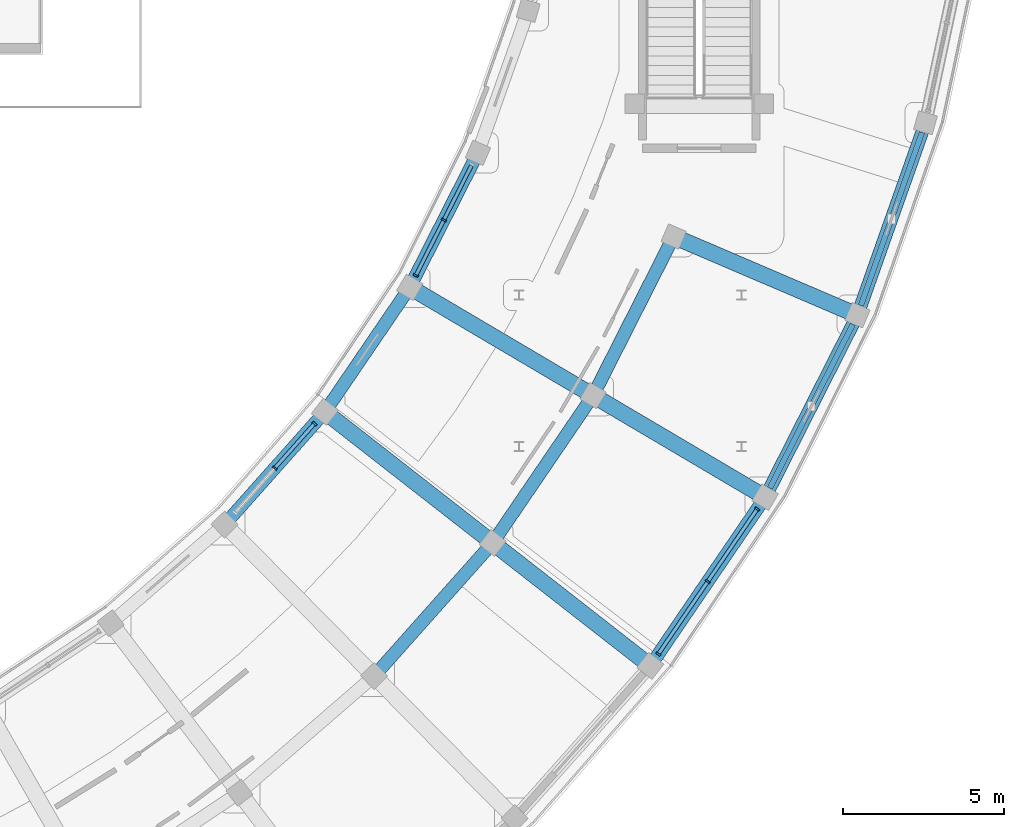
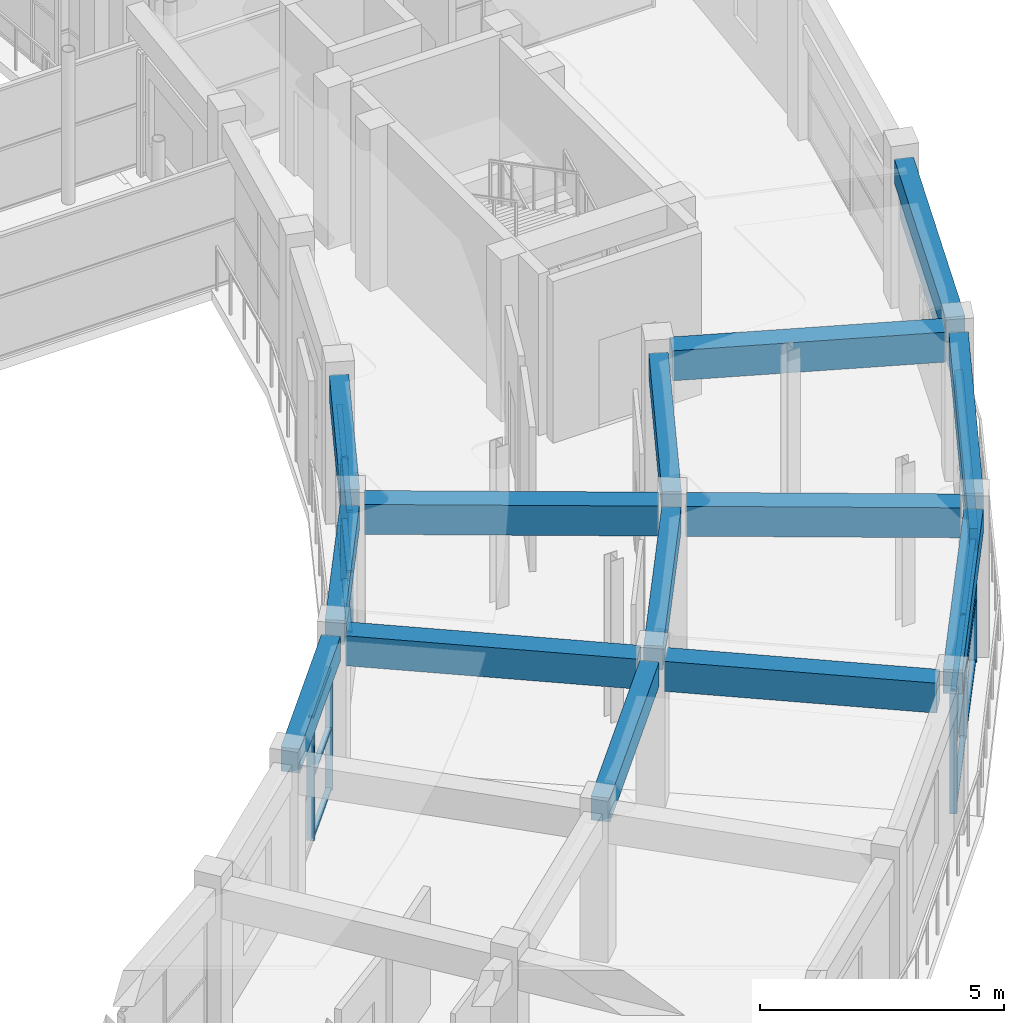
# One storey, part 24 of 72: 24 members, 14 beams, 3 elements without a shape of their own.
"""IFC4 building model written with IfcOpenShell, lengths in metres."""

from ifc_helpers import new_model, si_unit, direction, frame, origin, origin_2d, place, context, subcontext, project, spatial, rectangle, extrude, material, material_profile, profile_set, type_object, element, aggregate, save


model = new_model("IFC4")

# Units and contexts
model_context = context("Model", 3, precision=1e-05, world=origin(), true_north=direction((0.0, 1.0)))
body_context = subcontext(model_context, "Body", "Model", "MODEL_VIEW")
ifc_project = project(units=[si_unit("LENGTHUNIT", "METRE"), si_unit("AREAUNIT", "SQUARE_METRE"), si_unit("VOLUMEUNIT", "CUBIC_METRE"), si_unit("PLANEANGLEUNIT", "RADIAN"), si_unit("MASSUNIT", "GRAM", prefix="KILO")], contexts=[model_context])

# Site, building, storey
site_placement = place(None, origin())
site = spatial("IfcSite", under=ifc_project, at=site_placement, CompositionType="ELEMENT")
building_placement = place(site_placement, origin())
building = spatial("IfcBuilding", under=site, at=building_placement, Name="Saryqyr Civic Hall", CompositionType="ELEMENT")
storey_placement = place(building_placement, frame((0.0, 0.0, 17.25)))
storey = spatial("IfcBuildingStorey", under=building, at=storey_placement, Name="L04", CompositionType="ELEMENT", Elevation=17.25)

# Curtain wall, members
ifc_material_1 = material(Name="Anodised aluminium and triple low-E glass", Category="aluminium")
curtain_wall_type_1 = type_object("IfcCurtainWallType", Name="ENV-CW-STD-20", PredefinedType="NOTDEFINED", material=ifc_material_1)
curtain_wall_1_placement = place(storey_placement, origin())
curtain_wall_1 = element("IfcCurtainWall", 1, at=curtain_wall_1_placement, inside=storey, type_object=curtain_wall_type_1, Name="Curtain wall V5-CWI-L04-04", PredefinedType="NOTDEFINED")
ifc_material_2 = material(Name="Anodised aluminium", Category="aluminium")
ifc_material_profile_1 = material_profile(ifc_material_2, rectangle(XDim=0.06005859375, YDim=0.159912109375, at=origin_2d()), Name="ALU MULLION 60x160")
ifc_profile_set_1 = profile_set([ifc_material_profile_1], Name="Anodised aluminium")
member_type_1 = type_object("IfcMemberType", Name="ENV-CW-MUL-180", PredefinedType="MULLION", material=ifc_profile_set_1)
member_1_placement = place(storey_placement, frame((83.981201171875, 59.9794921875, 0.0), z_axis=(0.0, 0.0, 1.0), x_axis=(0.664934070862, 0.7469020561, 0.0)))
member_1 = element("IfcMember", 2, at=member_1_placement, type_object=member_type_1, Name="CW-20 mullion 2", PredefinedType="MULLION", context=body_context, shape_type="SweptSolid", body=[
    extrude(rectangle(XDim=0.06005859375, YDim=0.159912109375, at=origin_2d()), origin(), (0.0, 0.0, 1.0), 3.0849609375),
])
member_2_placement = place(storey_placement, frame((85.213134765625, 61.363037109375, 0.0), z_axis=(0.0, 0.0, 1.0), x_axis=(0.664934070862, 0.7469020561, 0.0)))
member_2 = element("IfcMember", 3, at=member_2_placement, type_object=member_type_1, Name="CW-20 mullion 3", PredefinedType="MULLION", context=body_context, shape_type="SweptSolid", body=[
    extrude(rectangle(XDim=0.06005859375, YDim=0.159912109375, at=origin_2d()), origin(), (0.0, 0.0, 1.0), 3.0849609375),
])

curtain_wall_type_2 = type_object("IfcCurtainWallType", Name="ENV-CW-STD-16", PredefinedType="NOTDEFINED", material=ifc_material_1)
curtain_wall_2_placement = place(storey_placement, origin())
curtain_wall_2 = element("IfcCurtainWall", 4, at=curtain_wall_2_placement, inside=storey, type_object=curtain_wall_type_2, Name="Curtain wall V5-CWO-L04-05", PredefinedType="NOTDEFINED")
member_3_placement = place(storey_placement, frame((98.94091796875, 58.71435546875, 0.0), z_axis=(0.0, 0.0, 1.0), x_axis=(-0.563117564, -0.826376796089, 0.0)))
member_3 = element("IfcMember", 5, at=member_3_placement, type_object=member_type_1, Name="CW-16 mullion 1", PredefinedType="MULLION", context=body_context, shape_type="SweptSolid", body=[
    extrude(rectangle(XDim=0.06005859375, YDim=0.159912109375, at=origin_2d()), origin(), (0.0, 0.0, 1.0), 3.0849609375),
])
member_4_placement = place(storey_placement, frame((97.407470703125, 56.46435546875, 0.0), z_axis=(0.0, 0.0, 1.0), x_axis=(-0.563117564, -0.826376796089, 0.0)))
member_4 = element("IfcMember", 6, at=member_4_placement, type_object=member_type_1, Name="CW-16 mullion 2", PredefinedType="MULLION", context=body_context, shape_type="SweptSolid", body=[
    extrude(rectangle(XDim=0.06005859375, YDim=0.159912109375, at=origin_2d()), origin(), (0.0, 0.0, 1.0), 3.0849609375),
])
member_5_placement = place(storey_placement, frame((95.874267578125, 54.214111328125, 0.0), z_axis=(0.0, 0.0, 1.0), x_axis=(-0.563117564, -0.826376796089, 0.0)))
member_5 = element("IfcMember", 7, at=member_5_placement, type_object=member_type_1, Name="CW-16 mullion 3", PredefinedType="MULLION", context=body_context, shape_type="SweptSolid", body=[
    extrude(rectangle(XDim=0.06005859375, YDim=0.159912109375, at=origin_2d()), origin(), (0.0, 0.0, 1.0), 3.0849609375),
])

curtain_wall_type_3 = type_object("IfcCurtainWallType", Name="ENV-CW-STD-17", PredefinedType="NOTDEFINED", material=ifc_material_1)
curtain_wall_3_placement = place(storey_placement, origin())
curtain_wall_3 = element("IfcCurtainWall", 8, at=curtain_wall_3_placement, inside=storey, type_object=curtain_wall_type_3, Name="Curtain wall V5-CWI-L04-06", PredefinedType="NOTDEFINED")
member_6_placement = place(storey_placement, frame((88.354248046875, 65.955810546875, 0.0), z_axis=(0.0, 0.0, 1.0), x_axis=(0.451909750219, 0.892063662334, 0.0)))
member_6 = element("IfcMember", 9, at=member_6_placement, type_object=member_type_1, Name="CW-17 mullion 1", PredefinedType="MULLION", context=body_context, shape_type="SweptSolid", body=[
    extrude(rectangle(XDim=0.06005859375, YDim=0.159912109375, at=origin_2d()), origin(), (0.0, 0.0, 1.0), 3.0849609375),
])
member_7_placement = place(storey_placement, frame((89.224853515625, 67.67431640625, 0.0), z_axis=(0.0, 0.0, 1.0), x_axis=(0.451909750219, 0.892063662334, 0.0)))
member_7 = element("IfcMember", 10, at=member_7_placement, type_object=member_type_1, Name="CW-17 mullion 2", PredefinedType="MULLION", context=body_context, shape_type="SweptSolid", body=[
    extrude(rectangle(XDim=0.06005859375, YDim=0.159912109375, at=origin_2d()), origin(), (0.0, 0.0, 1.0), 3.0849609375),
])

# Member
ifc_material_profile_2 = material_profile(ifc_material_2, rectangle(XDim=0.1201171875, YDim=0.06005859375, at=origin_2d()), Name="ALU TRANSOM 120x60")
ifc_profile_set_2 = profile_set([ifc_material_profile_2], Name="Anodised aluminium")
member_type_2 = type_object("IfcMemberType", Name="ENV-CW-TRN-150", PredefinedType="USERDEFINED", material=ifc_profile_set_2)
member_8_placement = place(storey_placement, frame((84.001220703125, 60.001953125, 0.030029296875), z_axis=(0.664989244005, 0.746852934223, 0.0), x_axis=(-0.746852934223, 0.664989244005, 0.0)))
member_8 = element("IfcMember", 11, at=member_8_placement, type_object=member_type_2, Name="CW-20 transom 2.1", ObjectType="TRANSOM", PredefinedType="USERDEFINED", context=body_context, shape_type="SweptSolid", body=[
    extrude(rectangle(XDim=0.1201171875, YDim=0.06005859375, at=origin_2d()), origin(), (0.0, 0.0, 1.0), 1.792236328125),
])

member_9_placement = place(storey_placement, frame((84.001220703125, 60.001953125, 1.54296875), z_axis=(0.664989244005, 0.746852934223, 0.0), x_axis=(-0.746852934223, 0.664989244005, 0.0)))
member_9 = element("IfcMember", 12, at=member_9_placement, type_object=member_type_2, Name="CW-20 transom 2.2", ObjectType="TRANSOM", PredefinedType="USERDEFINED", context=body_context, shape_type="SweptSolid", body=[
    extrude(rectangle(XDim=0.1201171875, YDim=0.06005859375, at=origin_2d()), origin(), (0.0, 0.0, 1.0), 1.792236328125),
])

member_10_placement = place(storey_placement, frame((84.001220703125, 60.001953125, 3.054931640625), z_axis=(0.664989244005, 0.746852934223, 0.0), x_axis=(-0.746852934223, 0.664989244005, 0.0)))
member_10 = element("IfcMember", 13, at=member_10_placement, type_object=member_type_2, Name="CW-20 transom 2.3", ObjectType="TRANSOM", PredefinedType="USERDEFINED", context=body_context, shape_type="SweptSolid", body=[
    extrude(rectangle(XDim=0.1201171875, YDim=0.06005859375, at=origin_2d()), origin(), (0.0, 0.0, 1.0), 1.792236328125),
])

aggregate(curtain_wall_1, [member_1, member_2, member_8, member_9, member_10])

member_11_placement = place(storey_placement, frame((98.923828125, 58.689453125, 0.030029296875), z_axis=(-0.563072199079, -0.826407707263, 0.0), x_axis=(0.826407707263, -0.563072199079, 0.0)))
member_11 = element("IfcMember", 14, at=member_11_placement, type_object=member_type_2, Name="CW-16 transom 1.1", ObjectType="TRANSOM", PredefinedType="USERDEFINED", context=body_context, shape_type="SweptSolid", body=[
    extrude(rectangle(XDim=0.1201171875, YDim=0.06005859375, at=origin_2d()), origin(), (0.0, 0.0, 1.0), 2.66259765625),
])

member_12_placement = place(storey_placement, frame((98.923828125, 58.689453125, 1.54296875), z_axis=(-0.563072199079, -0.826407707263, 0.0), x_axis=(0.826407707263, -0.563072199079, 0.0)))
member_12 = element("IfcMember", 15, at=member_12_placement, type_object=member_type_2, Name="CW-16 transom 1.2", ObjectType="TRANSOM", PredefinedType="USERDEFINED", context=body_context, shape_type="SweptSolid", body=[
    extrude(rectangle(XDim=0.1201171875, YDim=0.06005859375, at=origin_2d()), origin(), (0.0, 0.0, 1.0), 2.66259765625),
])

member_13_placement = place(storey_placement, frame((98.923828125, 58.689453125, 3.054931640625), z_axis=(-0.563072199079, -0.826407707263, 0.0), x_axis=(0.826407707263, -0.563072199079, 0.0)))
member_13 = element("IfcMember", 16, at=member_13_placement, type_object=member_type_2, Name="CW-16 transom 1.3", ObjectType="TRANSOM", PredefinedType="USERDEFINED", context=body_context, shape_type="SweptSolid", body=[
    extrude(rectangle(XDim=0.1201171875, YDim=0.06005859375, at=origin_2d()), origin(), (0.0, 0.0, 1.0), 2.66259765625),
])

member_14_placement = place(storey_placement, frame((97.390625, 56.439453125, 0.030029296875), z_axis=(-0.563134814323, -0.826365040946, 0.0), x_axis=(0.826365040946, -0.563134814323, 0.0)))
member_14 = element("IfcMember", 17, at=member_14_placement, type_object=member_type_2, Name="CW-16 transom 2.1", ObjectType="TRANSOM", PredefinedType="USERDEFINED", context=body_context, shape_type="SweptSolid", body=[
    extrude(rectangle(XDim=0.1201171875, YDim=0.06005859375, at=origin_2d()), origin(), (0.0, 0.0, 1.0), 2.662841796875),
])

member_15_placement = place(storey_placement, frame((97.390625, 56.439453125, 1.54296875), z_axis=(-0.563134814323, -0.826365040946, 0.0), x_axis=(0.826365040946, -0.563134814323, 0.0)))
member_15 = element("IfcMember", 18, at=member_15_placement, type_object=member_type_2, Name="CW-16 transom 2.2", ObjectType="TRANSOM", PredefinedType="USERDEFINED", context=body_context, shape_type="SweptSolid", body=[
    extrude(rectangle(XDim=0.1201171875, YDim=0.06005859375, at=origin_2d()), origin(), (0.0, 0.0, 1.0), 2.662841796875),
])

member_16_placement = place(storey_placement, frame((97.390625, 56.439453125, 3.054931640625), z_axis=(-0.563134814323, -0.826365040946, 0.0), x_axis=(0.826365040946, -0.563134814323, 0.0)))
member_16 = element("IfcMember", 19, at=member_16_placement, type_object=member_type_2, Name="CW-16 transom 2.3", ObjectType="TRANSOM", PredefinedType="USERDEFINED", context=body_context, shape_type="SweptSolid", body=[
    extrude(rectangle(XDim=0.1201171875, YDim=0.06005859375, at=origin_2d()), origin(), (0.0, 0.0, 1.0), 2.662841796875),
])

aggregate(curtain_wall_2, [member_3, member_4, member_5, member_11, member_12, member_13, member_14, member_15, member_16])

member_17_placement = place(storey_placement, frame((88.367919921875, 65.982421875, 0.030029296875), z_axis=(0.451916221053, 0.89206038425, 0.0), x_axis=(-0.89206038425, 0.451916221053, 0.0)))
member_17 = element("IfcMember", 20, at=member_17_placement, type_object=member_type_2, Name="CW-17 transom 1.1", ObjectType="TRANSOM", PredefinedType="USERDEFINED", context=body_context, shape_type="SweptSolid", body=[
    extrude(rectangle(XDim=0.1201171875, YDim=0.06005859375, at=origin_2d()), origin(), (0.0, 0.0, 1.0), 1.866455078125),
])

member_18_placement = place(storey_placement, frame((88.367919921875, 65.982421875, 1.54296875), z_axis=(0.451916221053, 0.89206038425, 0.0), x_axis=(-0.89206038425, 0.451916221053, 0.0)))
member_18 = element("IfcMember", 21, at=member_18_placement, type_object=member_type_2, Name="CW-17 transom 1.2", ObjectType="TRANSOM", PredefinedType="USERDEFINED", context=body_context, shape_type="SweptSolid", body=[
    extrude(rectangle(XDim=0.1201171875, YDim=0.06005859375, at=origin_2d()), origin(), (0.0, 0.0, 1.0), 1.866455078125),
])

member_19_placement = place(storey_placement, frame((88.367919921875, 65.982421875, 3.054931640625), z_axis=(0.451916221053, 0.89206038425, 0.0), x_axis=(-0.89206038425, 0.451916221053, 0.0)))
member_19 = element("IfcMember", 22, at=member_19_placement, type_object=member_type_2, Name="CW-17 transom 1.3", ObjectType="TRANSOM", PredefinedType="USERDEFINED", context=body_context, shape_type="SweptSolid", body=[
    extrude(rectangle(XDim=0.1201171875, YDim=0.06005859375, at=origin_2d()), origin(), (0.0, 0.0, 1.0), 1.866455078125),
])

member_20_placement = place(storey_placement, frame((89.238525390625, 67.701171875, 0.030029296875), z_axis=(0.451968956938, 0.892033666385, 0.0), x_axis=(-0.892033666385, 0.451968956938, 0.0)))
member_20 = element("IfcMember", 23, at=member_20_placement, type_object=member_type_2, Name="CW-17 transom 2.1", ObjectType="TRANSOM", PredefinedType="USERDEFINED", context=body_context, shape_type="SweptSolid", body=[
    extrude(rectangle(XDim=0.1201171875, YDim=0.06005859375, at=origin_2d()), origin(), (0.0, 0.0, 1.0), 1.8662109375),
])

member_21_placement = place(storey_placement, frame((89.238525390625, 67.701171875, 1.54296875), z_axis=(0.451968956938, 0.892033666385, 0.0), x_axis=(-0.892033666385, 0.451968956938, 0.0)))
member_21 = element("IfcMember", 24, at=member_21_placement, type_object=member_type_2, Name="CW-17 transom 2.2", ObjectType="TRANSOM", PredefinedType="USERDEFINED", context=body_context, shape_type="SweptSolid", body=[
    extrude(rectangle(XDim=0.1201171875, YDim=0.06005859375, at=origin_2d()), origin(), (0.0, 0.0, 1.0), 1.8662109375),
])

member_22_placement = place(storey_placement, frame((89.238525390625, 67.701171875, 3.054931640625), z_axis=(0.451968956938, 0.892033666385, 0.0), x_axis=(-0.892033666385, 0.451968956938, 0.0)))
member_22 = element("IfcMember", 25, at=member_22_placement, type_object=member_type_2, Name="CW-17 transom 2.3", ObjectType="TRANSOM", PredefinedType="USERDEFINED", context=body_context, shape_type="SweptSolid", body=[
    extrude(rectangle(XDim=0.1201171875, YDim=0.06005859375, at=origin_2d()), origin(), (0.0, 0.0, 1.0), 1.8662109375),
])

aggregate(curtain_wall_3, [member_6, member_7, member_17, member_18, member_19, member_20, member_21, member_22])

# Members
ifc_material_3 = material(Name="Precast concrete C40/50", Category="concrete")
ifc_material_profile_3 = material_profile(ifc_material_3, rectangle(XDim=0.179931640625, YDim=0.550048828125, at=origin_2d()), Name="PC FIN 180x550")
ifc_profile_set_3 = profile_set([ifc_material_profile_3], Name="Precast concrete C40/50")
member_type_3 = type_object("IfcMemberType", Name="ENV-FIN-PC550", PredefinedType="USERDEFINED", material=ifc_profile_set_3)
for number, where, z_axis, x_axis, name in (
    (26, (99.3330078125, 59.36279296875, 2.52001953125), (0.451959332765, 0.892038542624, 0.0), (-0.892038542624, 0.451959332765, 0.0), "Precast horizontal solar brise-soleil fin V5-L04-06"),
    (27, (102.155517578125, 65.024169921875, 2.52001953125), (0.333161095844, 0.942869919032, 0.0), (-0.942869919032, 0.333161095844, 0.0), "Precast horizontal solar brise-soleil fin V5-L04-07"),
):
    element("IfcMember", number, at=place(storey_placement, frame(where, z_axis=z_axis, x_axis=x_axis)), inside=storey, type_object=member_type_3, Name=name, ObjectType="SOLAR_FIN", PredefinedType="USERDEFINED", context=body_context, shape_type="SweptSolid", body=[
        extrude(rectangle(XDim=0.179931640625, YDim=0.550048828125, at=origin_2d()), origin(), (0.0, 0.0, 1.0), 5.6923828125),
    ])

# Beams
ifc_material_4 = material(Name="Concrete C35/45", Category="concrete")
ifc_material_profile_4 = material_profile(ifc_material_4, rectangle(XDim=0.39990234375, YDim=0.60009765625, at=origin_2d()), Name="RC 400x600")
ifc_profile_set_4 = profile_set([ifc_material_profile_4], Name="Concrete C35/45")
beam_type_1 = type_object("IfcBeamType", Name="STR-BM-RC400x600", PredefinedType="BEAM", material=ifc_profile_set_4)
for number, where, z_axis, x_axis, name in (
    (28, (87.24560546875, 53.7412109375, 3.409912109375), (0.664939021665, 0.746897648589, 0.0), (-0.746897648589, 0.664939021665, 0.0), "Beam V5-CBM-MID04-L04"),
    (29, (90.893310546875, 57.8916015625, 3.409912109375), (0.563126776121, 0.826370518603, 0.0), (-0.826370518603, 0.563126776121, 0.0), "Beam V5-CBM-MID05-L04"),
):
    element("IfcBeam", number, at=place(storey_placement, frame(where, z_axis=z_axis, x_axis=x_axis)), inside=storey, type_object=beam_type_1, Name=name, PredefinedType="BEAM", context=body_context, shape_type="SweptSolid", body=[
        extrude(rectangle(XDim=0.39990234375, YDim=0.60009765625, at=origin_2d()), origin(), (0.0, 0.0, 1.0), 4.9775390625),
    ])
beam_1_placement = place(storey_placement, frame((93.9755859375, 62.4775390625, 3.409912109375), z_axis=(0.451915877682, 0.892060558202, 0.0), x_axis=(-0.892060558202, 0.451915877682, 0.0)))
element("IfcBeam", 30, at=beam_1_placement, inside=storey, type_object=beam_type_1, Name="Beam V5-CBM-MID06-L04", PredefinedType="BEAM", context=body_context, shape_type="SweptSolid", body=[
    extrude(rectangle(XDim=0.39990234375, YDim=0.60009765625, at=origin_2d()), origin(), (0.0, 0.0, 1.0), 4.977783203125),
])
ifc_material_profile_5 = material_profile(ifc_material_4, rectangle(XDim=0.39990234375, YDim=0.60009765625, at=origin_2d()), Name="RC 400x600")
ifc_profile_set_5 = profile_set([ifc_material_profile_5], Name="Concrete C35/45")
beam_type_2 = type_object("IfcBeamType", Name="STR-BM-RC400x600-EXT", PredefinedType="BEAM", material=ifc_profile_set_5)
beam_2_placement = place(storey_placement, frame((82.60986328125, 58.43896484375, 3.409912109375), z_axis=(0.664933037621, 0.746902975948, 0.0), x_axis=(-0.746902975948, 0.664933037621, 0.0)))
element("IfcBeam", 31, at=beam_2_placement, inside=storey, type_object=beam_type_2, Name="Beam V5-CBM-IN04-L04", PredefinedType="BEAM", context=body_context, shape_type="SweptSolid", body=[
    extrude(rectangle(XDim=0.39990234375, YDim=0.60009765625, at=origin_2d()), origin(), (0.0, 0.0, 1.0), 4.125),
])
beam_3_placement = place(storey_placement, frame((85.690673828125, 61.952880859375, 3.409912109375), z_axis=(0.56312561749, 0.826371308146, 0.0), x_axis=(-0.826371308146, 0.56312561749, 0.0)))
element("IfcBeam", 32, at=beam_3_placement, inside=storey, type_object=beam_type_2, Name="Beam V5-CBM-IN05-L04", PredefinedType="BEAM", context=body_context, shape_type="SweptSolid", body=[
    extrude(rectangle(XDim=0.39990234375, YDim=0.60009765625, at=origin_2d()), origin(), (0.0, 0.0, 1.0), 4.125244140625),
])
beam_4_placement = place(storey_placement, frame((95.780517578125, 54.07666015625, 3.409912109375), z_axis=(0.563115242299, 0.82637837816, 0.0), x_axis=(-0.82637837816, 0.563115242299, 0.0)))
element("IfcBeam", 33, at=beam_4_placement, inside=storey, type_object=beam_type_2, Name="Beam V5-CBM-OUT05-L04", PredefinedType="BEAM", context=body_context, shape_type="SweptSolid", body=[
    extrude(rectangle(XDim=0.39990234375, YDim=0.60009765625, at=origin_2d()), origin(), (0.0, 0.0, 1.0), 5.7783203125),
])
beam_5_placement = place(storey_placement, frame((88.292724609375, 65.834228515625, 3.409912109375), z_axis=(0.45189446959, 0.89207140317, 0.0), x_axis=(-0.89207140317, 0.45189446959, 0.0)))
element("IfcBeam", 34, at=beam_5_placement, inside=storey, type_object=beam_type_2, Name="Beam V5-CBM-IN06-L04", PredefinedType="BEAM", context=body_context, shape_type="SweptSolid", body=[
    extrude(rectangle(XDim=0.39990234375, YDim=0.60009765625, at=origin_2d()), origin(), (0.0, 0.0, 1.0), 4.12548828125),
])
for number, where, z_axis, x_axis, name in (
    (35, (99.313720703125, 59.324462890625, 3.409912109375), (0.451922654691, 0.892057124952, 0.0), (-0.892057124952, 0.451922654691, 0.0), "Beam V5-CBM-OUT06-L04"),
    (36, (102.14111328125, 64.983642578125, 3.409912109375), (0.333186956354, 0.942860780877, 0.0), (-0.942860780877, 0.333186956354, 0.0), "Beam V5-CBM-OUT07-L04"),
):
    element("IfcBeam", number, at=place(storey_placement, frame(where, z_axis=z_axis, x_axis=x_axis)), inside=storey, type_object=beam_type_2, Name=name, PredefinedType="BEAM", context=body_context, shape_type="SweptSolid", body=[
        extrude(rectangle(XDim=0.39990234375, YDim=0.60009765625, at=origin_2d()), origin(), (0.0, 0.0, 1.0), 5.7783203125),
    ])
ifc_material_5 = material(Name="Concrete C40/50", Category="concrete")
ifc_material_profile_6 = material_profile(ifc_material_5, rectangle(XDim=0.5, YDim=0.75, at=origin_2d()), Name="RC 500x750")
ifc_profile_set_6 = profile_set([ifc_material_profile_6], Name="Concrete C40/50")
beam_type_3 = type_object("IfcBeamType", Name="STR-BM-RC500x750", PredefinedType="BEAM", material=ifc_profile_set_6)
beam_6_placement = place(storey_placement, frame((85.75244140625, 61.556396484375, 3.3349609375), z_axis=(0.788258017603, -0.615344860777, 0.0), x_axis=(0.615344860777, 0.788258017603, 0.0)))
element("IfcBeam", 37, at=beam_6_placement, inside=storey, type_object=beam_type_3, Name="Beam V5-RBM-A05-L04", PredefinedType="BEAM", context=body_context, shape_type="SweptSolid", body=[
    extrude(rectangle(XDim=0.5, YDim=0.75, at=origin_2d()), origin(), (0.0, 0.0, 1.0), 6.050048828125),
])
beam_7_placement = place(storey_placement, frame((90.955078125, 57.4951171875, 3.3349609375), z_axis=(0.788283067243, -0.615312770791, 0.0), x_axis=(0.615312770791, 0.788283067243, 0.0)))
element("IfcBeam", 38, at=beam_7_placement, inside=storey, type_object=beam_type_3, Name="Beam V5-RBM-B05-L04", PredefinedType="BEAM", context=body_context, shape_type="SweptSolid", body=[
    extrude(rectangle(XDim=0.5, YDim=0.75, at=origin_2d()), origin(), (0.0, 0.0, 1.0), 5.650146484375),
])
beam_8_placement = place(storey_placement, frame((88.4052734375, 65.44921875, 3.3349609375), z_axis=(0.861018900268, -0.508572957776, 0.0), x_axis=(0.508572957776, 0.861018900268, 0.0)))
element("IfcBeam", 39, at=beam_8_placement, inside=storey, type_object=beam_type_3, Name="Beam V5-RBM-A06-L04", PredefinedType="BEAM", context=body_context, shape_type="SweptSolid", body=[
    extrude(rectangle(XDim=0.5, YDim=0.75, at=origin_2d()), origin(), (0.0, 0.0, 1.0), 6.050048828125),
])
beam_9_placement = place(storey_placement, frame((94.087890625, 62.09228515625, 3.3349609375), z_axis=(0.861029741325, -0.508554603315, 0.0), x_axis=(0.508554603315, 0.861029741325, 0.0)))
element("IfcBeam", 40, at=beam_9_placement, inside=storey, type_object=beam_type_3, Name="Beam V5-RBM-B06-L04", PredefinedType="BEAM", context=body_context, shape_type="SweptSolid", body=[
    extrude(rectangle(XDim=0.5, YDim=0.75, at=origin_2d()), origin(), (0.0, 0.0, 1.0), 5.64990234375),
])
beam_10_placement = place(storey_placement, frame((96.60205078125, 67.05517578125, 3.3349609375), z_axis=(0.919375077042, -0.393382088706, 0.0), x_axis=(0.393382088706, 0.919375077042, 0.0)))
element("IfcBeam", 41, at=beam_10_placement, inside=storey, type_object=beam_type_3, Name="Beam V5-RBM-B07-L04", PredefinedType="BEAM", context=body_context, shape_type="SweptSolid", body=[
    extrude(rectangle(XDim=0.5, YDim=0.75, at=origin_2d()), origin(), (0.0, 0.0, 1.0), 5.650146484375),
])

save(model, "model.ifc")
